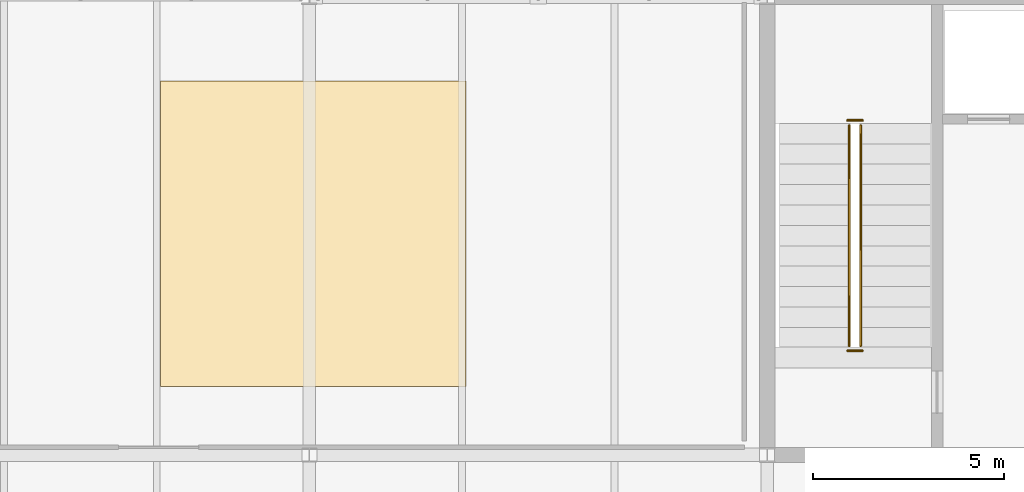
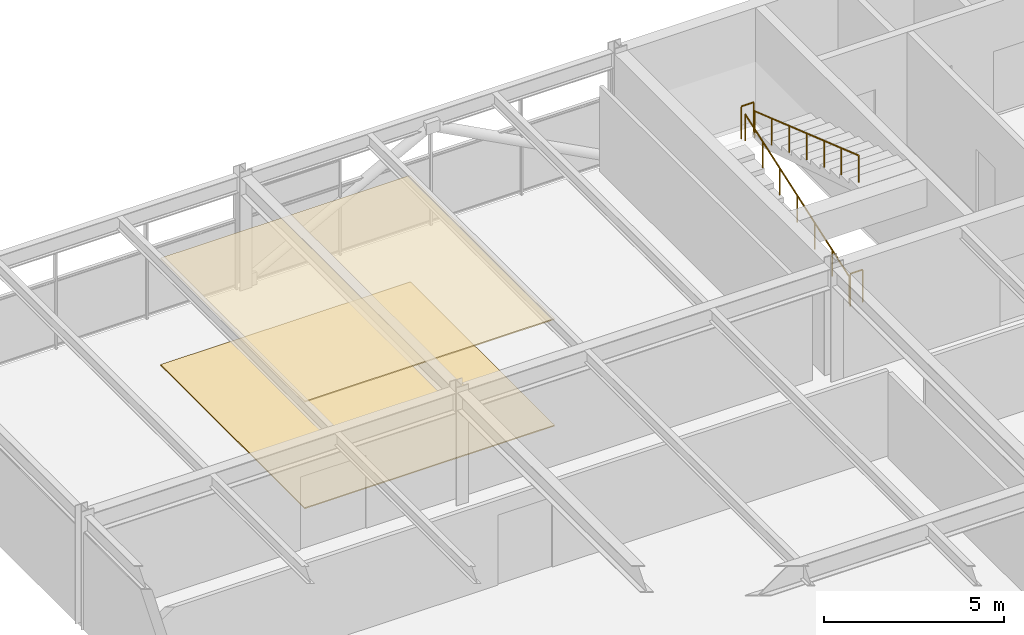
# One storey, part 49 of 51: 4 railings, 2 coverings.
"""IFC4 building model written with IfcOpenShell, lengths in metres."""

from ifc_helpers import new_model, si_unit, direction, frame, origin, origin_2d, place, context, subcontext, project, spatial, rectangle, circle, extrude, material, layer, layer_set, type_object, element, save


model = new_model("IFC4")

# Units and contexts
model_context = context("Model", 3, precision=1e-05, world=origin(), true_north=direction((0.0, 1.0)))
body_context = subcontext(model_context, "Body", "Model", "MODEL_VIEW")
ifc_project = project(units=[si_unit("LENGTHUNIT", "METRE"), si_unit("AREAUNIT", "SQUARE_METRE"), si_unit("VOLUMEUNIT", "CUBIC_METRE"), si_unit("PLANEANGLEUNIT", "RADIAN"), si_unit("MASSUNIT", "GRAM", prefix="KILO")], contexts=[model_context])

# Site, building, storey
site_placement = place(None, origin())
site = spatial("IfcSite", under=ifc_project, at=site_placement, CompositionType="ELEMENT")
building_placement = place(site_placement, origin())
building = spatial("IfcBuilding", under=site, at=building_placement, Name="Girod Span Mobility Hub", CompositionType="ELEMENT")
storey_placement = place(building_placement, frame((0.0, 0.0, 41.60009765625)))
storey = spatial("IfcBuildingStorey", under=building, at=storey_placement, Name="L10", CompositionType="ELEMENT", Elevation=41.60009765625)

# Coverings
ifc_material_1 = material(Name="Perforated Mineral-Fibre Acoustic Ceiling Tile", Category="mineral")
ifc_layer_1 = layer(ifc_material_1, 0.0400390625)
ifc_layer_set_1 = layer_set([ifc_layer_1], Name="Perforated Mineral-Fibre Acoustic Ceiling Tile")
covering_type_1 = type_object("IfcCoveringType", Name="COV-CLG-800X800", PredefinedType="CEILING", material=ifc_layer_set_1)
covering_1_placement = place(storey_placement, frame((36.10009765625, 62.800048828125, 3.60498046875), z_axis=(0.0, 0.0, 1.0), x_axis=(1.0, 0.0, 0.0)))
element("IfcCovering", 1, at=covering_1_placement, inside=storey, type_object=covering_type_1, Name="Engineering Studio West L10 Acoustic Ceiling", PredefinedType="CEILING", context=body_context, shape_type="SweptSolid", body=[
    extrude(rectangle(XDim=8.0, YDim=8.0, at=origin_2d()), origin(), (0.0, 0.0, 1.0), 0.0400390625),
])
ifc_material_2 = material(Name="Epoxy Terrazzo and Raised Access Flooring", Category="polymer")
ifc_layer_2 = layer(ifc_material_2, 0.034912109375)
ifc_layer_set_2 = layer_set([ifc_layer_2], Name="Epoxy Terrazzo and Raised Access Flooring")
covering_type_2 = type_object("IfcCoveringType", Name="COV-FLR-800X800", PredefinedType="FLOORING", material=ifc_layer_set_2)
covering_2_placement = place(storey_placement, frame((36.10009765625, 62.800048828125, 0.0), z_axis=(0.0, 0.0, 1.0), x_axis=(1.0, 0.0, 0.0)))
element("IfcCovering", 2, at=covering_2_placement, inside=storey, type_object=covering_type_2, Name="Engineering Studio West L10 Floor Finish", PredefinedType="FLOORING", context=body_context, shape_type="SweptSolid", body=[
    extrude(rectangle(XDim=8.0, YDim=8.0, at=origin_2d()), origin(), (0.0, 0.0, 1.0), 0.034912109375),
])

# Railings
ifc_material_3 = material(Name="Painted Galvanised Steel", Category="steel")
ifc_layer_3 = layer(ifc_material_3, 0.06494140625)
ifc_layer_set_3 = layer_set([ifc_layer_3], Name="Painted Galvanised Steel")
railing_type_1 = type_object("IfcRailingType", Name="RL-GRD-1120", PredefinedType="GUARDRAIL", material=ifc_layer_set_3)
for number, where, name in (
    (3, (50.10009765625, 65.77001953125, 2.0), "Stair ST-1 Half-Landing Well Guard L10"),
    (4, (50.10009765625, 59.72998046875, 0.0), "Stair ST-1 Landing Well Guard L10"),
):
    element("IfcRailing", number, at=place(storey_placement, frame(where)), inside=storey, type_object=railing_type_1, Name=name, PredefinedType="GUARDRAIL", context=body_context, shape_type="SweptSolid", body=[
        extrude(circle(Radius=0.02392578125, at=origin_2d()), frame((0.0, 0.0, 1.09619140625), z_axis=(1.0, 0.0, 0.0), x_axis=(0.0, 1.0, 0.0)), (0.0, 0.0, 1.0), 0.39990234375),
        extrude(circle(Radius=0.02099609375, at=origin_2d()), origin(), (0.0, 0.0, 1.0), 1.072021484375),
        extrude(circle(Radius=0.02099609375, at=origin_2d()), frame((0.39990234375, 0.0, 0.0)), (0.0, 0.0, 1.0), 1.072021484375),
    ])
ifc_material_4 = material(Name="Painted Galvanised Steel", Category="steel")
ifc_layer_4 = layer(ifc_material_4, 0.050048828125)
ifc_layer_set_4 = layer_set([ifc_layer_4], Name="Painted Galvanised Steel")
railing_type_2 = type_object("IfcRailingType", Name="RL-HR-920", PredefinedType="HANDRAIL", material=ifc_layer_set_4)
railing_1_placement = place(storey_placement, frame((50.14990234375, 59.860107421875, 0.0)))
element("IfcRailing", 5, at=railing_1_placement, inside=storey, type_object=railing_type_2, Name="Stair ST-1 Flight 1 Handrail L10", PredefinedType="HANDRAIL", context=body_context, shape_type="SweptSolid", body=[
    extrude(circle(Radius=0.02392578125, at=origin_2d()), frame((0.0, 0.0, 0.89599609375), z_axis=(0.0, 0.945021187488, 0.327009105681), x_axis=(-1.0, 0.0, 0.0)), (0.0, 0.0, 1.0), 6.115966796875),
    extrude(circle(Radius=0.02099609375, at=origin_2d()), origin(), (0.0, 0.0, 1.0), 0.871826171875),
    extrude(circle(Radius=0.02099609375, at=origin_2d()), frame((0.0, 0.96337890625, 0.333251953125)), (0.0, 0.0, 1.0), 0.871826171875),
    extrude(circle(Radius=0.02099609375, at=origin_2d()), frame((0.0, 1.926513671875, 0.666748046875)), (0.0, 0.0, 1.0), 0.871826171875),
    extrude(circle(Radius=0.02099609375, at=origin_2d()), frame((0.0, 2.889892578125, 1.0)), (0.0, 0.0, 1.0), 0.871826171875),
    extrude(circle(Radius=0.02099609375, at=origin_2d()), frame((0.0, 3.853271484375, 1.333251953125)), (0.0, 0.0, 1.0), 0.871826171875),
    extrude(circle(Radius=0.02099609375, at=origin_2d()), frame((0.0, 4.81640625, 1.666748046875)), (0.0, 0.0, 1.0), 0.871826171875),
    extrude(circle(Radius=0.02099609375, at=origin_2d()), frame((0.0, 5.77978515625, 2.0)), (0.0, 0.0, 1.0), 0.871826171875),
])
railing_2_placement = place(storey_placement, frame((50.449951171875, 65.639892578125, 2.0)))
element("IfcRailing", 6, at=railing_2_placement, inside=storey, type_object=railing_type_2, Name="Stair ST-1 Flight 2 Handrail L10", PredefinedType="HANDRAIL", context=body_context, shape_type="SweptSolid", body=[
    extrude(circle(Radius=0.02392578125, at=origin_2d()), frame((0.0, 0.0, 0.89599609375), z_axis=(0.0, -0.945021187488, 0.327009105681), x_axis=(1.0, 0.0, 0.0)), (0.0, 0.0, 1.0), 6.115966796875),
    extrude(circle(Radius=0.02099609375, at=origin_2d()), origin(), (0.0, 0.0, 1.0), 0.871826171875),
    extrude(circle(Radius=0.02099609375, at=origin_2d()), frame((0.0, -0.96337890625, 0.333251953125)), (0.0, 0.0, 1.0), 0.871826171875),
    extrude(circle(Radius=0.02099609375, at=origin_2d()), frame((0.0, -1.926513671875, 0.666748046875)), (0.0, 0.0, 1.0), 0.871826171875),
    extrude(circle(Radius=0.02099609375, at=origin_2d()), frame((0.0, -2.889892578125, 1.0)), (0.0, 0.0, 1.0), 0.871826171875),
    extrude(circle(Radius=0.02099609375, at=origin_2d()), frame((0.0, -3.853271484375, 1.333251953125)), (0.0, 0.0, 1.0), 0.871826171875),
    extrude(circle(Radius=0.02099609375, at=origin_2d()), frame((0.0, -4.81640625, 1.666748046875)), (0.0, 0.0, 1.0), 0.871826171875),
    extrude(circle(Radius=0.02099609375, at=origin_2d()), frame((0.0, -5.77978515625, 2.0)), (0.0, 0.0, 1.0), 0.871826171875),
])

save(model, "model.ifc")
